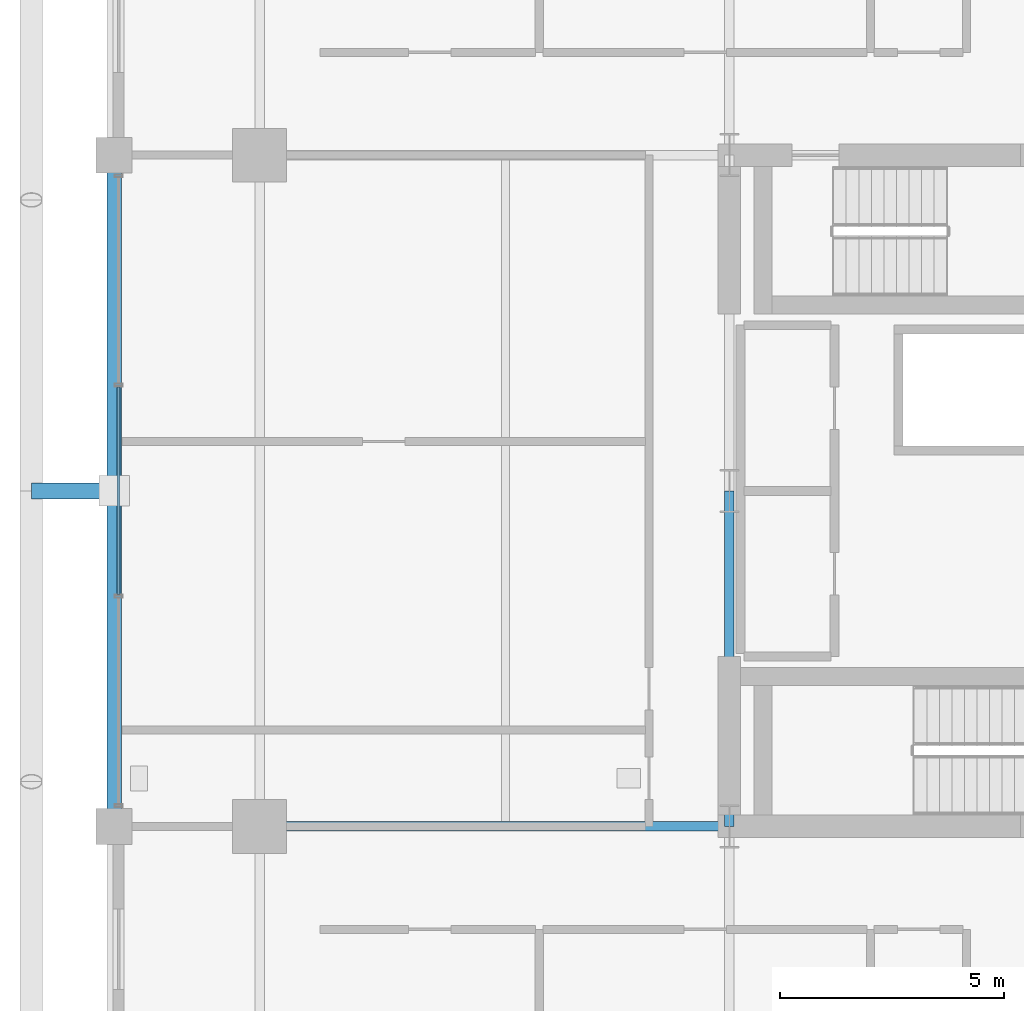
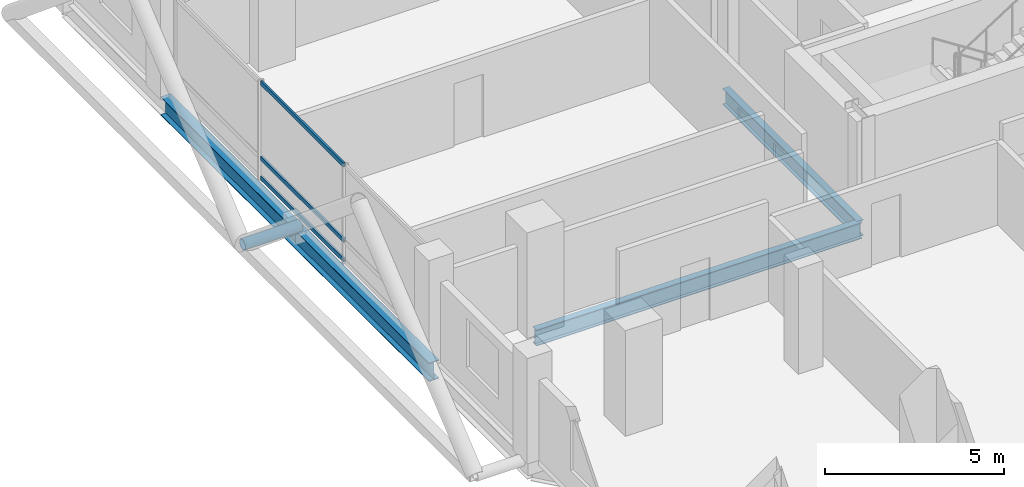
# One storey, part 6 of 24: 4 members, 3 beams, 1 element without a shape of its own.
"""IFC4 building model written with IfcOpenShell, lengths in metres."""

from ifc_helpers import new_model, si_unit, direction, frame, origin, origin_2d, place, context, subcontext, project, spatial, hollow_rectangle, hollow_circle, i_section, extrude, material, layer, layer_set, material_profile, profile_set, type_object, element, aggregate, save


model = new_model("IFC4")

# Units and contexts
model_context = context("Model", 3, precision=1e-05, world=origin(), true_north=direction((0.0, 1.0)))
body_context = subcontext(model_context, "Body", "Model", "MODEL_VIEW")
ifc_project = project(units=[si_unit("LENGTHUNIT", "METRE"), si_unit("AREAUNIT", "SQUARE_METRE"), si_unit("VOLUMEUNIT", "CUBIC_METRE"), si_unit("PLANEANGLEUNIT", "RADIAN"), si_unit("MASSUNIT", "GRAM", prefix="KILO")], contexts=[model_context])

# Site, building, storey
site_placement = place(None, origin())
site = spatial("IfcSite", under=ifc_project, at=site_placement, CompositionType="ELEMENT")
building_placement = place(site_placement, origin())
building = spatial("IfcBuilding", under=site, at=building_placement, Name="Barlavira Tower and Art Museum", CompositionType="ELEMENT")
storey_placement = place(building_placement, frame((0.0, 0.0, 154.800048828125)))
storey = spatial("IfcBuildingStorey", under=building, at=storey_placement, Name="L39", CompositionType="ELEMENT", Elevation=154.800048828125)

# Curtain wall, members
ifc_material_1 = material(Name="Low-iron coastal laminated glass", Category="glass")
ifc_layer = layer(ifc_material_1, 0.18994140625, Name="Low-iron coastal laminated glass")
ifc_layer_set = layer_set([ifc_layer], Name="Low-iron coastal laminated glass")
curtain_wall_type = type_object("IfcCurtainWallType", Name="Pale-Metal Unitised Curtain Wall Zone 2", PredefinedType="NOTDEFINED", material=ifc_layer_set)
curtain_wall_placement = place(storey_placement, origin())
curtain_wall = element("IfcCurtainWall", 1, at=curtain_wall_placement, inside=storey, type_object=curtain_wall_type, Name="L39 Curtain Wall CW2-L39-W-B3", PredefinedType="NOTDEFINED")
ifc_material_2 = material(Name="Pale anodised aluminium", Category="aluminium")
ifc_material_profile_1 = material_profile(ifc_material_2, hollow_rectangle(XDim=0.06494140625, YDim=0.139892578125, WallThickness=0.00390625, at=origin_2d()), Name="ALU-TRAN 65x140x4")
ifc_profile_set_1 = profile_set([ifc_material_profile_1], Name="Pale anodised aluminium")
member_type_1 = type_object("IfcMemberType", Name="Curtain Wall Pale-Metal Transom 65x140", PredefinedType="USERDEFINED", material=ifc_profile_set_1)
member_1_placement = place(storey_placement, frame((-20.14990234375, 2.31494140625, 0.070068359375), z_axis=(0.0, -1.0, 0.0), x_axis=(1.0, 0.0, 0.0)))
member_1 = element("IfcMember", 2, at=member_1_placement, type_object=member_type_1, Name="CW2-L39-W-B3 Transom 1.1", ObjectType="TRANSOM", PredefinedType="USERDEFINED", context=body_context, shape_type="SweptSolid", body=[
    extrude(hollow_rectangle(XDim=0.06494140625, YDim=0.139892578125, WallThickness=0.00390625, at=origin_2d()), origin(), (0.0, 0.0, 1.0), 4.6298828125),
])
member_2_placement = place(storey_placement, frame((-20.14990234375, 2.31494140625, 0.743896484375), z_axis=(0.0, -1.0, 0.0), x_axis=(1.0, 0.0, 0.0)))
member_2 = element("IfcMember", 3, at=member_2_placement, type_object=member_type_1, Name="CW2-L39-W-B3 Transom 1.2", ObjectType="TRANSOM", PredefinedType="USERDEFINED", context=body_context, shape_type="SweptSolid", body=[
    extrude(hollow_rectangle(XDim=0.06494140625, YDim=0.139892578125, WallThickness=0.00390625, at=origin_2d()), origin(), (0.0, 0.0, 1.0), 4.6298828125),
])
member_3_placement = place(storey_placement, frame((-20.14990234375, 2.31494140625, 3.31005859375), z_axis=(0.0, -1.0, 0.0), x_axis=(1.0, 0.0, 0.0)))
member_3 = element("IfcMember", 4, at=member_3_placement, type_object=member_type_1, Name="CW2-L39-W-B3 Transom 1.3", ObjectType="TRANSOM", PredefinedType="USERDEFINED", context=body_context, shape_type="SweptSolid", body=[
    extrude(hollow_rectangle(XDim=0.06494140625, YDim=0.139892578125, WallThickness=0.00390625, at=origin_2d()), origin(), (0.0, 0.0, 1.0), 4.6298828125),
])
aggregate(curtain_wall, [member_1, member_2, member_3])

# Member
ifc_material_3 = material(Name="Steel S355", Category="steel")
ifc_material_profile_2 = material_profile(ifc_material_3, hollow_circle(Radius=0.177734375, WallThickness=0.01611328125, at=origin_2d()), Name="CHS 355.6x16.0")
ifc_profile_set_2 = profile_set([ifc_material_profile_2], Name="Steel S355")
member_type_2 = type_object("IfcMemberType", Name="Pale-Metal Exoskeleton Tie Strut CHS 356x16 Steel S355", PredefinedType="STRUT", material=ifc_profile_set_2)
member_4_placement = place(storey_placement, frame((-22.10009765625, 0.0, -0.1201171875), z_axis=(1.0, 0.0, 0.0), x_axis=(0.0, 1.0, 0.0)))
element("IfcMember", 5, at=member_4_placement, inside=storey, type_object=member_type_2, Name="L39 Exoskeleton Tie Strut W2", PredefinedType="STRUT", context=body_context, shape_type="SweptSolid", body=[
    extrude(hollow_circle(Radius=0.177734375, WallThickness=0.01611328125, at=origin_2d()), origin(), (0.0, 0.0, 1.0), 1.85009765625),
])

# Beams
ifc_material_profile_3 = material_profile(ifc_material_3, i_section(OverallWidth=0.327880859375, OverallDepth=0.62890625, WebThickness=0.013916015625, FlangeThickness=0.021484375, at=origin_2d()), Name="W610x174.0")
ifc_profile_set_3 = profile_set([ifc_material_profile_3], Name="Steel S355")
beam_type_1 = type_object("IfcBeamType", Name="Perimeter Spandrel Edge Beam W610x174 Steel S355", PredefinedType="SPANDREL", material=ifc_profile_set_3)
beam_1_placement = place(storey_placement, frame((-20.25, -7.5, -0.53466796875), z_axis=(0.0, 1.0, 0.0), x_axis=(-1.0, 0.0, 0.0)))
element("IfcBeam", 6, at=beam_1_placement, inside=storey, type_object=beam_type_1, Name="L39 Spandrel 14", PredefinedType="SPANDREL", context=body_context, shape_type="SweptSolid", body=[
    extrude(i_section(OverallWidth=0.327880859375, OverallDepth=0.62890625, WebThickness=0.013916015625, FlangeThickness=0.021484375, at=origin_2d()), origin(), (0.0, 0.0, 1.0), 15.0),
])
ifc_material_profile_4 = material_profile(ifc_material_3, i_section(OverallWidth=0.214111328125, OverallDepth=0.549072265625, WebThickness=0.0146484375, FlangeThickness=0.023681640625, at=origin_2d()), Name="W530x138.0")
ifc_profile_set_4 = profile_set([ifc_material_profile_4], Name="Steel S355")
beam_type_2 = type_object("IfcBeamType", Name="Zone 1 Primary Floor Girder W530x138 Steel S355", PredefinedType="BEAM", material=ifc_profile_set_4)
beam_2_placement = place(storey_placement, frame((-6.5, -7.5, -0.49462890625), z_axis=(0.0, 1.0, 0.0), x_axis=(-1.0, 0.0, 0.0)))
element("IfcBeam", 7, at=beam_2_placement, inside=storey, type_object=beam_type_2, Name="L39 Girder C-W1", PredefinedType="BEAM", context=body_context, shape_type="SweptSolid", body=[
    extrude(i_section(OverallWidth=0.214111328125, OverallDepth=0.549072265625, WebThickness=0.0146484375, FlangeThickness=0.023681640625, at=origin_2d()), origin(), (0.0, 0.0, 1.0), 7.5),
])
beam_3_placement = place(storey_placement, frame((-17.0, -7.5, -0.49462890625), z_axis=(1.0, 0.0, 0.0), x_axis=(0.0, 1.0, 0.0)))
element("IfcBeam", 8, at=beam_3_placement, inside=storey, type_object=beam_type_2, Name="L39 Girder R-W1", PredefinedType="BEAM", context=body_context, shape_type="SweptSolid", body=[
    extrude(i_section(OverallWidth=0.214111328125, OverallDepth=0.549072265625, WebThickness=0.0146484375, FlangeThickness=0.023681640625, at=origin_2d()), origin(), (0.0, 0.0, 1.0), 10.5),
])

save(model, "model.ifc")
